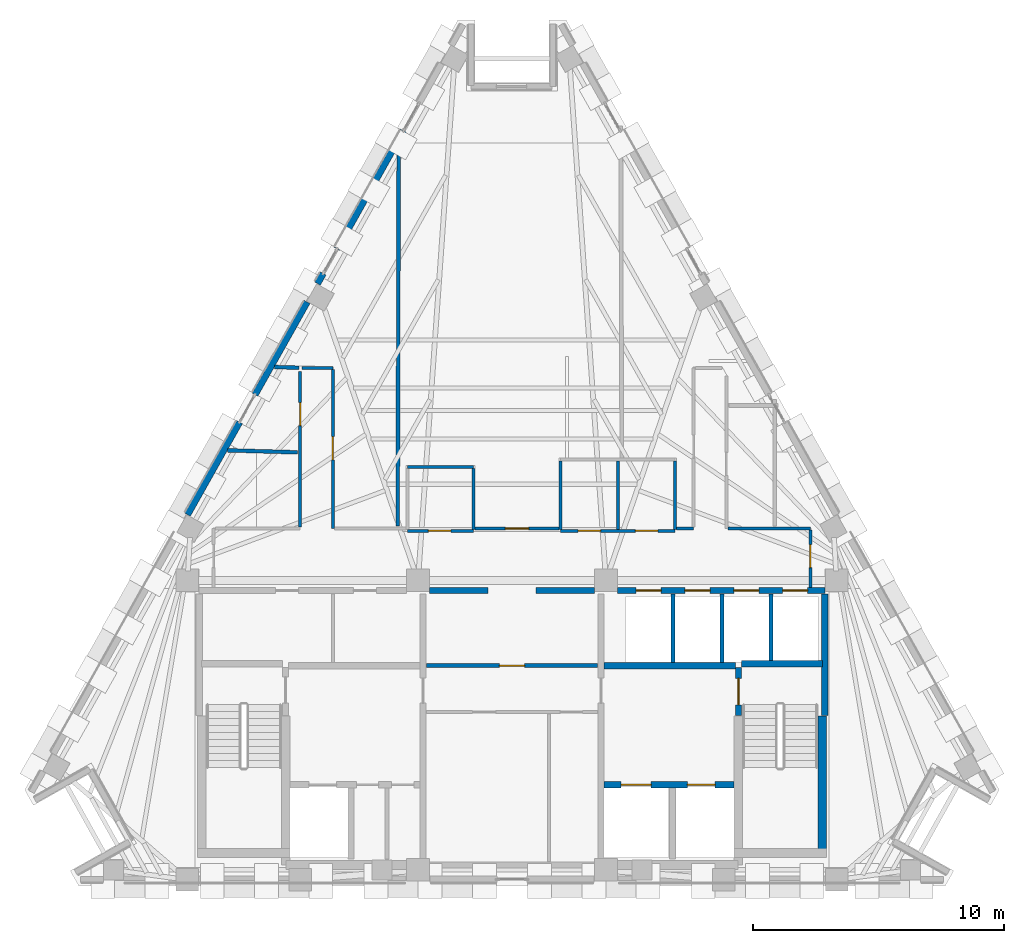
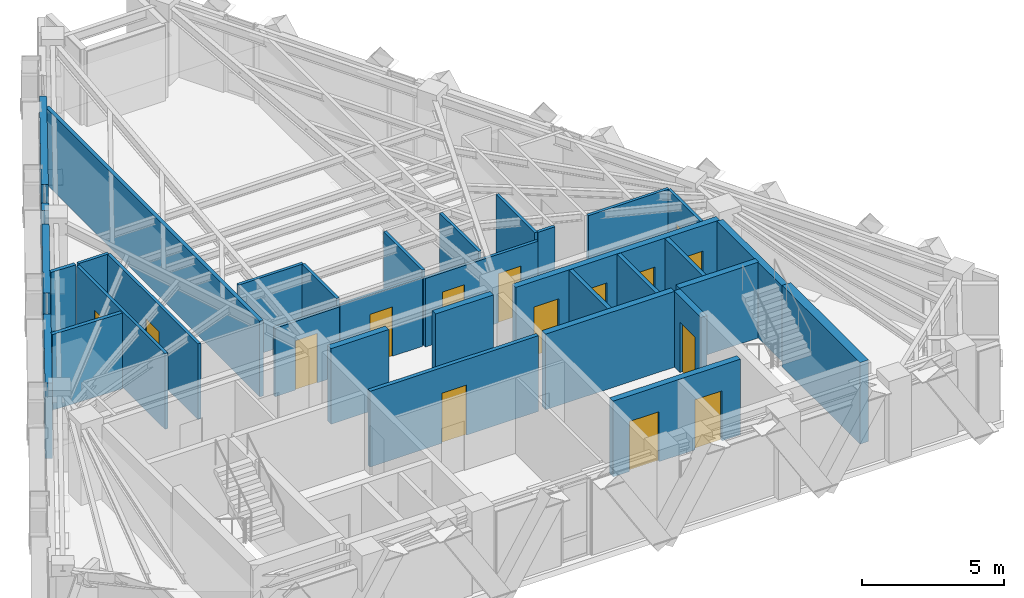
# One storey, part 6 of 9: 34 walls, 15 doors, 15 openings.
"""IFC4 building model written with IfcOpenShell, lengths in metres."""

from ifc_helpers import new_model, si_unit, direction, frame, frame_2d, origin, place, context, subcontext, project, spatial, rectangle, extrude, material, layer, layer_set, type_object, element, fill, save


model = new_model("IFC4")

# Units and contexts
model_context = context("Model", 3, precision=1e-05, world=origin(), true_north=direction((0.0, 1.0)))
body_context = subcontext(model_context, "Body", "Model", "MODEL_VIEW")
ifc_project = project(units=[si_unit("LENGTHUNIT", "METRE"), si_unit("AREAUNIT", "SQUARE_METRE"), si_unit("VOLUMEUNIT", "CUBIC_METRE"), si_unit("PLANEANGLEUNIT", "RADIAN"), si_unit("MASSUNIT", "GRAM", prefix="KILO")], contexts=[model_context])

# Site, building, storey
site_placement = place(None, origin())
site = spatial("IfcSite", under=ifc_project, at=site_placement, CompositionType="ELEMENT")
building_placement = place(site_placement, origin())
building = spatial("IfcBuilding", under=site, at=building_placement, Name="Quenlor Broadcast Tower", CompositionType="ELEMENT")
storey_placement = place(building_placement, frame((0.0, 0.0, 239.39990234375)))
storey = spatial("IfcBuildingStorey", under=building, at=storey_placement, Name="L66", CompositionType="ELEMENT", Elevation=239.39990234375)

# Walls
ifc_material_1 = material(Name="Acoustic Double Stud Gypsum Partition", Category="other")
ifc_layer_1 = layer(ifc_material_1, 0.14990234375)
ifc_layer_set_1 = layer_set([ifc_layer_1], Name="Broadcast Studio Acoustic Partition 150")
wall_type_1 = type_object("IfcWallType", Name="Broadcast Studio Acoustic Partition 150", PredefinedType="PARTITIONING", material=ifc_layer_set_1)
wall_1_placement = place(storey_placement, frame((-4.5595703125, -2.6201171875, 0.0), z_axis=(0.0, 0.0, 1.0), x_axis=(0.002561739383, 0.99999671874, 0.0)))
element("IfcWall", 1, at=wall_1_placement, inside=storey, type_object=wall_type_1, Name="L66 Interior Wall PW-DV-02", PredefinedType="PARTITIONING", context=body_context, shape_type="SweptSolid", body=[
    extrude(rectangle(XDim=15.153076171875, YDim=0.14990234375, at=frame_2d((7.57666015625, 0.0))), origin(), (0.0, 0.0, 1.0), 3.25),
])
wall_2_placement = place(storey_placement, frame((-8.495849609375, 3.685302734375, 0.0), z_axis=(0.0, 0.0, 1.0), x_axis=(-0.99954299591, 0.030229113907, 0.0)))
element("IfcWall", 2, at=wall_2_placement, inside=storey, type_object=wall_type_1, Name="L66 Interior Wall PW-DV-04", PredefinedType="PARTITIONING", context=body_context, shape_type="SweptSolid", body=[
    extrude(rectangle(XDim=0.9853515625, YDim=0.14990234375, at=frame_2d((0.49267578125, 0.0))), origin(), (0.0, 0.0, 1.0), 3.25),
])
wall_3_placement = place(storey_placement, frame((-8.56005859375, 0.310791015625, 0.0), z_axis=(0.0, 0.0, 1.0), x_axis=(-0.999598621545, 0.028330121884, 0.0)))
element("IfcWall", 3, at=wall_3_placement, inside=storey, type_object=wall_type_1, Name="L66 Interior Wall PW-DV-05", PredefinedType="PARTITIONING", context=body_context, shape_type="SweptSolid", body=[
    extrude(rectangle(XDim=2.792236328125, YDim=0.14990234375, at=frame_2d((1.39599609375, 0.0))), origin(), (0.0, 0.0, 1.0), 3.25),
])
ifc_material_2 = material(Name="Concrete C50/60", Category="concrete")
ifc_layer_2 = layer(ifc_material_2, 0.35009765625)
ifc_layer_set_2 = layer_set([ifc_layer_2], Name="Core Concrete C50/60 Shear Wall 350")
wall_type_2 = type_object("IfcWallType", Name="Core Concrete C50/60 Shear Wall 350", PredefinedType="SHEAR", material=ifc_layer_set_2)
wall_4_placement = place(storey_placement, frame((12.375, -15.675048828125, 0.0), z_axis=(0.0, 0.0, 1.0), x_axis=(0.0, 1.0, 0.0)))
element("IfcWall", 4, at=wall_4_placement, inside=storey, type_object=wall_type_2, Name="L66 Core Shear Wall WF-E", PredefinedType="SHEAR", context=body_context, shape_type="SweptSolid", body=[
    extrude(rectangle(XDim=5.47509765625, YDim=0.35009765625, at=frame_2d((2.737548828125, 0.0))), origin(), (0.0, 0.0, 1.0), 3.5),
])

# Wall, opening, door
ifc_material_3 = material(Name="Concrete C40/50", Category="concrete")
ifc_layer_3 = layer(ifc_material_3, 0.25)
ifc_layer_set_3 = layer_set([ifc_layer_3], Name="Fire Rated Concrete C40/50 Core Wall 250")
wall_type_3 = type_object("IfcWallType", Name="Fire Rated Concrete C40/50 Core Wall 250", PredefinedType="PARTITIONING", material=ifc_layer_set_3)
wall_5_placement = place(storey_placement, frame((9.0400390625, -10.179931640625, 0.0), z_axis=(0.0, 0.0, 1.0), x_axis=(0.0, 1.0, 0.0)))
wall_5 = element("IfcWall", 5, at=wall_5_placement, inside=storey, type_object=wall_type_3, Name="L66 Interior Wall CW-ST2-DR", PredefinedType="PARTITIONING", context=body_context, shape_type="SweptSolid", body=[
    extrude(rectangle(XDim=1.89990234375, YDim=0.25, at=frame_2d((0.949951171875, 0.0))), origin(), (0.0, 0.0, 1.0), 3.25),
])
opening_1_placement = place(wall_5_placement, frame((0.419921875, 0.0, 0.0)))
opening_1 = element("IfcOpeningElement", 6, at=opening_1_placement, cuts=wall_5, Name="Opening FD-1", PredefinedType="OPENING", context=body_context, shape_type="SweptSolid", body=[
    extrude(rectangle(XDim=1.050048828125, YDim=2.14990234375, at=frame_2d((0.52490234375, 1.074951171875))), frame((0.0, 0.135009765625, 0.0), z_axis=(0.0, -1.0, 0.0), x_axis=(1.0, 0.0, 0.0)), (0.0, 0.0, 1.0), 0.27001953125),
])
ifc_material_4 = material(Name="Fire Rated Steel Door Leaf", Category="steel")
door_type_1 = type_object("IfcDoorType", Name="Fire Isolated Stair Door 1050x2150", OperationType="NOTDEFINED", PredefinedType="DOOR", material=ifc_material_4)
door_1_placement = place(opening_1_placement, origin())
door_1 = element("IfcDoor", 7, at=door_1_placement, inside=storey, type_object=door_type_1, Name="L66 Door DR-ST2", OperationType="SINGLE_SWING_RIGHT", OverallHeight=2.14990234375, OverallWidth=1.050048828125, PredefinedType="DOOR", context=body_context, shape_type="SweptSolid", body=[
    extrude(rectangle(XDim=1.050048828125, YDim=2.14990234375, at=frame_2d((0.52490234375, 1.074951171875))), frame((0.0, 0.02490234375, 0.0), z_axis=(0.0, -1.0, 0.0), x_axis=(1.0, 0.0, 0.0)), (0.0, 0.0, 1.0), 0.050048828125),
])
fill(opening_1, door_1)

# Walls
wall_6_placement = place(storey_placement, frame((9.159912109375, -8.1201171875, 0.0), z_axis=(0.0, 0.0, 1.0), x_axis=(1.0, 0.0, 0.0)))
element("IfcWall", 8, at=wall_6_placement, inside=storey, type_object=wall_type_3, Name="L66 Interior Wall CW-ST2-N", PredefinedType="PARTITIONING", context=body_context, shape_type="SweptSolid", body=[
    extrude(rectangle(XDim=3.219970703125, YDim=0.25, at=frame_2d((1.60986328125, 0.0))), origin(), (0.0, 0.0, 1.0), 3.25),
])
wall_7_placement = place(storey_placement, frame((12.47998046875, -10.179931640625, 0.0), z_axis=(0.0, 0.0, 1.0), x_axis=(0.0, 1.0, 0.0)))
element("IfcWall", 9, at=wall_7_placement, inside=storey, type_object=wall_type_3, Name="L66 Interior Wall CW-ST2-E2", PredefinedType="PARTITIONING", context=body_context, shape_type="SweptSolid", body=[
    extrude(rectangle(XDim=4.83984375, YDim=0.25, at=frame_2d((2.419921875, 0.0))), origin(), (0.0, 0.0, 1.0), 3.25),
])

# Wall, openings, doors
wall_8_placement = place(storey_placement, frame((3.679931640625, -12.949951171875, 0.0), z_axis=(0.0, 0.0, 1.0), x_axis=(1.0, 0.0, 0.0)))
wall_8 = element("IfcWall", 10, at=wall_8_placement, inside=storey, type_object=wall_type_3, Name="L66 Interior Wall CW-FFE-S", PredefinedType="PARTITIONING", context=body_context, shape_type="SweptSolid", body=[
    extrude(rectangle(XDim=5.16796875, YDim=0.25, at=frame_2d((2.583984375, 0.0))), origin(), (0.0, 0.0, 1.0), 3.25),
])
opening_2_placement = place(wall_8_placement, frame((3.320068359375, 0.0, 0.0)))
opening_2 = element("IfcOpeningElement", 11, at=opening_2_placement, cuts=wall_8, Name="Opening LD-FFL-2", PredefinedType="OPENING", context=body_context, shape_type="SweptSolid", body=[
    extrude(rectangle(XDim=1.10009765625, YDim=2.14990234375, at=frame_2d((0.550048828125, 1.074951171875))), frame((0.0, 0.135009765625, 0.0), z_axis=(0.0, -1.0, 0.0), x_axis=(1.0, 0.0, 0.0)), (0.0, 0.0, 1.0), 0.27001953125),
])
opening_3_placement = place(wall_8_placement, frame((0.669921875, 0.0, 0.0)))
opening_3 = element("IfcOpeningElement", 12, at=opening_3_placement, cuts=wall_8, Name="Opening LD-SVL-1", PredefinedType="OPENING", context=body_context, shape_type="SweptSolid", body=[
    extrude(rectangle(XDim=1.199951171875, YDim=2.14990234375, at=frame_2d((0.60009765625, 1.074951171875))), frame((0.0, 0.135009765625, 0.0), z_axis=(0.0, -1.0, 0.0), x_axis=(1.0, 0.0, 0.0)), (0.0, 0.0, 1.0), 0.27001953125),
])
ifc_material_5 = material(Name="Brushed Stainless Steel", Category="steel")
door_type_2 = type_object("IfcDoorType", Name="Emergency Lift Sliding Landing Door 1100x2150", OperationType="NOTDEFINED", PredefinedType="DOOR", material=ifc_material_5)
door_2_placement = place(opening_2_placement, origin())
door_2 = element("IfcDoor", 13, at=door_2_placement, inside=storey, type_object=door_type_2, Name="L66 Door LD-FFL-2", OperationType="SLIDING_TO_RIGHT", OverallHeight=2.14990234375, OverallWidth=1.10009765625, PredefinedType="DOOR", context=body_context, shape_type="SweptSolid", body=[
    extrude(rectangle(XDim=1.10009765625, YDim=2.14990234375, at=frame_2d((0.550048828125, 1.074951171875))), frame((0.0, 0.02490234375, 0.0), z_axis=(0.0, -1.0, 0.0), x_axis=(1.0, 0.0, 0.0)), (0.0, 0.0, 1.0), 0.050048828125),
])
fill(opening_2, door_2)
ifc_material_6 = material(Name="Brushed Stainless Steel", Category="steel")
door_type_3 = type_object("IfcDoorType", Name="Goods Lift Sliding Landing Door 1200x2150", OperationType="NOTDEFINED", PredefinedType="DOOR", material=ifc_material_6)
door_3_placement = place(opening_3_placement, origin())
door_3 = element("IfcDoor", 14, at=door_3_placement, inside=storey, type_object=door_type_3, Name="L66 Door LD-SVL-1", OperationType="SLIDING_TO_LEFT", OverallHeight=2.14990234375, OverallWidth=1.199951171875, PredefinedType="DOOR", context=body_context, shape_type="SweptSolid", body=[
    extrude(rectangle(XDim=1.199951171875, YDim=2.14990234375, at=frame_2d((0.60009765625, 1.074951171875))), frame((0.0, 0.02490234375, 0.0), z_axis=(0.0, -1.0, 0.0), x_axis=(1.0, 0.0, 0.0)), (0.0, 0.0, 1.0), 0.050048828125),
])
fill(opening_3, door_3)

# Wall
wall_9_placement = place(storey_placement, frame((3.679931640625, -8.199951171875, 0.0), z_axis=(0.0, 0.0, 1.0), x_axis=(1.0, 0.0, 0.0)))
element("IfcWall", 15, at=wall_9_placement, inside=storey, type_object=wall_type_3, Name="L66 Interior Wall CW-FFE-N", PredefinedType="PARTITIONING", context=body_context, shape_type="SweptSolid", body=[
    extrude(rectangle(XDim=5.239990234375, YDim=0.25, at=frame_2d((2.6201171875, 0.0))), origin(), (0.0, 0.0, 1.0), 3.25),
])

# Wall, openings, doors
wall_10_placement = place(storey_placement, frame((4.201904296875, -5.199951171875, 0.0), z_axis=(0.0, 0.0, 1.0), x_axis=(1.0, 0.0, 0.0)))
wall_10 = element("IfcWall", 16, at=wall_10_placement, inside=storey, type_object=wall_type_3, Name="L66 Interior Wall CW-N-E", PredefinedType="PARTITIONING", context=body_context, shape_type="SweptSolid", body=[
    extrude(rectangle(XDim=8.278076171875, YDim=0.25, at=frame_2d((4.13916015625, 0.0))), origin(), (0.0, 0.0, 1.0), 3.25),
])
opening_4_placement = place(wall_10_placement, frame((0.748046875, 0.0, 0.0)))
opening_4 = element("IfcOpeningElement", 17, at=opening_4_placement, cuts=wall_10, Name="Opening LD-PL-H1", PredefinedType="OPENING", context=body_context, shape_type="SweptSolid", body=[
    extrude(rectangle(XDim=1.0, YDim=2.14990234375, at=frame_2d((0.5, 1.074951171875))), frame((0.0, 0.135009765625, 0.0), z_axis=(0.0, -1.0, 0.0), x_axis=(1.0, 0.0, 0.0)), (0.0, 0.0, 1.0), 0.27001953125),
])
opening_5_placement = place(wall_10_placement, frame((2.697998046875, 0.0, 0.0)))
opening_5 = element("IfcOpeningElement", 18, at=opening_5_placement, cuts=wall_10, Name="Opening LD-PL-H2", PredefinedType="OPENING", context=body_context, shape_type="SweptSolid", body=[
    extrude(rectangle(XDim=1.0, YDim=2.14990234375, at=frame_2d((0.5, 1.074951171875))), frame((0.0, 0.135009765625, 0.0), z_axis=(0.0, -1.0, 0.0), x_axis=(1.0, 0.0, 0.0)), (0.0, 0.0, 1.0), 0.27001953125),
])
opening_6_placement = place(wall_10_placement, frame((4.64794921875, 0.0, 0.0)))
opening_6 = element("IfcOpeningElement", 19, at=opening_6_placement, cuts=wall_10, Name="Opening LD-PL-H3", PredefinedType="OPENING", context=body_context, shape_type="SweptSolid", body=[
    extrude(rectangle(XDim=1.0, YDim=2.14990234375, at=frame_2d((0.5, 1.074951171875))), frame((0.0, 0.135009765625, 0.0), z_axis=(0.0, -1.0, 0.0), x_axis=(1.0, 0.0, 0.0)), (0.0, 0.0, 1.0), 0.27001953125),
])
opening_7_placement = place(wall_10_placement, frame((6.597900390625, 0.0, 0.0)))
opening_7 = element("IfcOpeningElement", 20, at=opening_7_placement, cuts=wall_10, Name="Opening LD-PL-H4", PredefinedType="OPENING", context=body_context, shape_type="SweptSolid", body=[
    extrude(rectangle(XDim=1.0, YDim=2.14990234375, at=frame_2d((0.5, 1.074951171875))), frame((0.0, 0.135009765625, 0.0), z_axis=(0.0, -1.0, 0.0), x_axis=(1.0, 0.0, 0.0)), (0.0, 0.0, 1.0), 0.27001953125),
])
ifc_material_7 = material(Name="Brushed Stainless Steel", Category="steel")
door_type_4 = type_object("IfcDoorType", Name="Passenger Lift Sliding Landing Door 1000x2150", OperationType="NOTDEFINED", PredefinedType="DOOR", material=ifc_material_7)
door_4_placement = place(opening_4_placement, origin())
door_4 = element("IfcDoor", 21, at=door_4_placement, inside=storey, type_object=door_type_4, Name="L66 Door LD-PL-H1", OperationType="SLIDING_TO_RIGHT", OverallHeight=2.14990234375, OverallWidth=1.0, PredefinedType="DOOR", context=body_context, shape_type="SweptSolid", body=[
    extrude(rectangle(XDim=1.0, YDim=2.14990234375, at=frame_2d((0.5, 1.074951171875))), frame((0.0, 0.02490234375, 0.0), z_axis=(0.0, -1.0, 0.0), x_axis=(1.0, 0.0, 0.0)), (0.0, 0.0, 1.0), 0.050048828125),
])
fill(opening_4, door_4)
door_5_placement = place(opening_5_placement, origin())
door_5 = element("IfcDoor", 22, at=door_5_placement, inside=storey, type_object=door_type_4, Name="L66 Door LD-PL-H2", OperationType="SLIDING_TO_RIGHT", OverallHeight=2.14990234375, OverallWidth=1.0, PredefinedType="DOOR", context=body_context, shape_type="SweptSolid", body=[
    extrude(rectangle(XDim=1.0, YDim=2.14990234375, at=frame_2d((0.5, 1.074951171875))), frame((0.0, 0.02490234375, 0.0), z_axis=(0.0, -1.0, 0.0), x_axis=(1.0, 0.0, 0.0)), (0.0, 0.0, 1.0), 0.050048828125),
])
fill(opening_5, door_5)
door_6_placement = place(opening_6_placement, origin())
door_6 = element("IfcDoor", 23, at=door_6_placement, inside=storey, type_object=door_type_4, Name="L66 Door LD-PL-H3", OperationType="SLIDING_TO_RIGHT", OverallHeight=2.14990234375, OverallWidth=1.0, PredefinedType="DOOR", context=body_context, shape_type="SweptSolid", body=[
    extrude(rectangle(XDim=1.0, YDim=2.14990234375, at=frame_2d((0.5, 1.074951171875))), frame((0.0, 0.02490234375, 0.0), z_axis=(0.0, -1.0, 0.0), x_axis=(1.0, 0.0, 0.0)), (0.0, 0.0, 1.0), 0.050048828125),
])
fill(opening_6, door_6)
door_7_placement = place(opening_7_placement, origin())
door_7 = element("IfcDoor", 24, at=door_7_placement, inside=storey, type_object=door_type_4, Name="L66 Door LD-PL-H4", OperationType="SLIDING_TO_RIGHT", OverallHeight=2.14990234375, OverallWidth=1.0, PredefinedType="DOOR", context=body_context, shape_type="SweptSolid", body=[
    extrude(rectangle(XDim=1.0, YDim=2.14990234375, at=frame_2d((0.5, 1.074951171875))), frame((0.0, 0.02490234375, 0.0), z_axis=(0.0, -1.0, 0.0), x_axis=(1.0, 0.0, 0.0)), (0.0, 0.0, 1.0), 0.050048828125),
])
fill(opening_7, door_7)

# Walls
for number, where, z_axis, x_axis, name in (
    (25, (-3.298095703125, -5.199951171875, 0.0), (0.0, 0.0, 1.0), (1.0, 0.0, 0.0), "L66 Interior Wall CW-N-M1"),
    (26, (0.949951171875, -5.199951171875, 0.0), (0.0, 0.0, 1.0), (1.0, 0.0, 0.0), "L66 Interior Wall CW-N-M2"),
):
    element("IfcWall", number, at=place(storey_placement, frame(where, z_axis=z_axis, x_axis=x_axis)), inside=storey, type_object=wall_type_3, Name=name, PredefinedType="PARTITIONING", context=body_context, shape_type="SweptSolid", body=[
        extrude(rectangle(XDim=2.34814453125, YDim=0.25, at=frame_2d((1.174072265625, 0.0))), origin(), (0.0, 0.0, 1.0), 3.25),
    ])
ifc_material_8 = material(Name="Gypsum Fireboard Partition", Category="other")
ifc_layer_4 = layer(ifc_material_8, 0.159912109375)
ifc_layer_set_4 = layer_set([ifc_layer_4], Name="Fire Rated Shaft and Corridor Partition 160")
wall_type_4 = type_object("IfcWallType", Name="Fire Rated Shaft and Corridor Partition 160", PredefinedType="PARTITIONING", material=ifc_layer_set_4)
for number, where, z_axis, x_axis, name in (
    (27, (6.425048828125, -8.072998046875, 0.0), (0.0, 0.0, 1.0), (0.0, 1.0, 0.0), "L66 Interior Wall CW-PLH-D1"),
    (28, (8.375, -8.072998046875, 0.0), (0.0, 0.0, 1.0), (0.0, 1.0, 0.0), "L66 Interior Wall CW-PLH-D2"),
):
    element("IfcWall", number, at=place(storey_placement, frame(where, z_axis=z_axis, x_axis=x_axis)), inside=storey, type_object=wall_type_4, Name=name, PredefinedType="PARTITIONING", context=body_context, shape_type="SweptSolid", body=[
        extrude(rectangle(XDim=2.73291015625, YDim=0.159912109375, at=frame_2d((1.366455078125, 0.0))), origin(), (0.0, 0.0, 1.0), 3.25),
    ])
wall_11_placement = place(storey_placement, frame((10.324951171875, -7.992919921875, 0.0), z_axis=(0.0, 0.0, 1.0), x_axis=(0.0, 1.0, 0.0)))
element("IfcWall", 29, at=wall_11_placement, inside=storey, type_object=wall_type_4, Name="L66 Interior Wall CW-PLH-D3", PredefinedType="PARTITIONING", context=body_context, shape_type="SweptSolid", body=[
    extrude(rectangle(XDim=2.65283203125, YDim=0.159912109375, at=frame_2d((1.326416015625, 0.0))), origin(), (0.0, 0.0, 1.0), 3.25),
])

# Wall, opening, door
wall_12_placement = place(storey_placement, frame((-3.419921875, -8.199951171875, 0.0), z_axis=(0.0, 0.0, 1.0), x_axis=(1.0, 0.0, 0.0)))
wall_12 = element("IfcWall", 30, at=wall_12_placement, inside=storey, type_object=wall_type_4, Name="L66 Interior Wall CW-M-BACK", PredefinedType="PARTITIONING", context=body_context, shape_type="SweptSolid", body=[
    extrude(rectangle(XDim=6.83984375, YDim=0.159912109375, at=frame_2d((3.419921875, 0.0))), origin(), (0.0, 0.0, 1.0), 3.25),
])
opening_8_placement = place(wall_12_placement, frame((2.919921875, 0.0, 0.0)))
opening_8 = element("IfcOpeningElement", 31, at=opening_8_placement, cuts=wall_12, Name="Opening FD-2", PredefinedType="OPENING", context=body_context, shape_type="SweptSolid", body=[
    extrude(rectangle(XDim=1.0, YDim=2.14990234375, at=frame_2d((0.5, 1.074951171875))), frame((0.0, 0.08984375, 0.0), z_axis=(0.0, -1.0, 0.0), x_axis=(1.0, 0.0, 0.0)), (0.0, 0.0, 1.0), 0.179931640625),
])
ifc_material_9 = material(Name="Fire Rated Glazed Steel Door", Category="steel")
door_type_5 = type_object("IfcDoorType", Name="Firefighting Lobby Smoke Door 1000x2150", OperationType="NOTDEFINED", PredefinedType="DOOR", material=ifc_material_9)
door_8_placement = place(opening_8_placement, origin())
door_8 = element("IfcDoor", 32, at=door_8_placement, inside=storey, type_object=door_type_5, Name="L66 Door DR-CCRP", OperationType="SINGLE_SWING_LEFT", OverallHeight=2.14990234375, OverallWidth=1.0, PredefinedType="DOOR", context=body_context, shape_type="SweptSolid", body=[
    extrude(rectangle(XDim=1.0, YDim=2.14990234375, at=frame_2d((0.5, 1.074951171875))), frame((0.0, 0.02490234375, 0.0), z_axis=(0.0, -1.0, 0.0), x_axis=(1.0, 0.0, 0.0)), (0.0, 0.0, 1.0), 0.050048828125),
])
fill(opening_8, door_8)

ifc_material_10 = material(Name="Gypsum Plasterboard Partition", Category="other")
ifc_layer_5 = layer(ifc_material_10, 0.1201171875)
ifc_layer_set_5 = layer_set([ifc_layer_5], Name="Standard Office Partition 120")
wall_type_5 = type_object("IfcWallType", Name="Standard Office Partition 120", PredefinedType="PARTITIONING", material=ifc_layer_set_5)
wall_13_placement = place(storey_placement, frame((-4.159912109375, -2.820068359375, 0.0), z_axis=(0.0, 0.0, 1.0), x_axis=(1.0, 0.0, 0.0)))
wall_13 = element("IfcWall", 33, at=wall_13_placement, inside=storey, type_object=wall_type_5, Name="L66 Interior Wall PW-AWC-S", PredefinedType="PARTITIONING", context=body_context, shape_type="SweptSolid", body=[
    extrude(rectangle(XDim=2.619873046875, YDim=0.1201171875, at=frame_2d((1.31005859375, 0.0))), origin(), (0.0, 0.0, 1.0), 2.94287109375),
])
opening_9_placement = place(wall_13_placement, frame((0.820068359375, 0.0, 0.0)))
opening_9 = element("IfcOpeningElement", 34, at=opening_9_placement, cuts=wall_13, Name="Opening ID-3", PredefinedType="OPENING", context=body_context, shape_type="SweptSolid", body=[
    extrude(rectangle(XDim=0.89990234375, YDim=2.1201171875, at=frame_2d((0.449951171875, 1.06005859375))), frame((0.0, 0.070068359375, 0.0), z_axis=(0.0, -1.0, 0.0), x_axis=(1.0, 0.0, 0.0)), (0.0, 0.0, 1.0), 0.14013671875),
])
ifc_material_11 = material(Name="Moisture Resistant Timber Oak", Category="wood")
door_type_6 = type_object("IfcDoorType", Name="Washroom Privacy Door 900x2120", OperationType="NOTDEFINED", PredefinedType="DOOR", material=ifc_material_11)
door_9_placement = place(opening_9_placement, origin())
door_9 = element("IfcDoor", 35, at=door_9_placement, inside=storey, type_object=door_type_6, Name="L66 Door DR-AWC", OperationType="SINGLE_SWING_LEFT", OverallHeight=2.1201171875, OverallWidth=0.89990234375, PredefinedType="DOOR", context=body_context, shape_type="SweptSolid", body=[
    extrude(rectangle(XDim=0.89990234375, YDim=2.1201171875, at=frame_2d((0.449951171875, 1.06005859375))), frame((0.0, 0.02490234375, 0.0), z_axis=(0.0, -1.0, 0.0), x_axis=(1.0, 0.0, 0.0)), (0.0, 0.0, 1.0), 0.050048828125),
])
fill(opening_9, door_9)

# Walls
wall_14_placement = place(storey_placement, frame((-4.159912109375, -0.27001953125, 0.0), z_axis=(0.0, 0.0, 1.0), x_axis=(1.0, 0.0, 0.0)))
element("IfcWall", 36, at=wall_14_placement, inside=storey, type_object=wall_type_5, Name="L66 Interior Wall PW-AWC-N", PredefinedType="PARTITIONING", context=body_context, shape_type="SweptSolid", body=[
    extrude(rectangle(XDim=2.619873046875, YDim=0.1201171875, at=frame_2d((1.31005859375, 0.0))), origin(), (0.0, 0.0, 1.0), 3.25),
])
wall_15_placement = place(storey_placement, frame((-1.5400390625, -2.758056640625, 0.0), z_axis=(0.0, 0.0, 1.0), x_axis=(0.0, 1.0, 0.0)))
element("IfcWall", 37, at=wall_15_placement, inside=storey, type_object=wall_type_5, Name="L66 Interior Wall PW-AWC-E", PredefinedType="PARTITIONING", context=body_context, shape_type="SweptSolid", body=[
    extrude(rectangle(XDim=2.426025390625, YDim=0.1201171875, at=frame_2d((1.212890625, 0.0))), origin(), (0.0, 0.0, 1.0), 3.25),
])

# Wall, openings, doors
wall_16_placement = place(storey_placement, frame((1.93994140625, -2.820068359375, 0.0), z_axis=(0.0, 0.0, 1.0), x_axis=(1.0, 0.0, 0.0)))
wall_16 = element("IfcWall", 38, at=wall_16_placement, inside=storey, type_object=wall_type_5, Name="L66 Interior Wall PW-WC-S", PredefinedType="PARTITIONING", context=body_context, shape_type="SweptSolid", body=[
    extrude(rectangle(XDim=4.570068359375, YDim=0.1201171875, at=frame_2d((2.28515625, 0.0))), origin(), (0.0, 0.0, 1.0), 2.94287109375),
])
opening_10_placement = place(wall_16_placement, frame((0.699951171875, 0.0, 0.0)))
opening_10 = element("IfcOpeningElement", 39, at=opening_10_placement, cuts=wall_16, Name="Opening ID-3", PredefinedType="OPENING", context=body_context, shape_type="SweptSolid", body=[
    extrude(rectangle(XDim=0.89990234375, YDim=2.1201171875, at=frame_2d((0.449951171875, 1.06005859375))), frame((0.0, 0.070068359375, 0.0), z_axis=(0.0, -1.0, 0.0), x_axis=(1.0, 0.0, 0.0)), (0.0, 0.0, 1.0), 0.14013671875),
])
opening_11_placement = place(wall_16_placement, frame((2.97998046875, 0.0, 0.0)))
opening_11 = element("IfcOpeningElement", 40, at=opening_11_placement, cuts=wall_16, Name="Opening ID-3", PredefinedType="OPENING", context=body_context, shape_type="SweptSolid", body=[
    extrude(rectangle(XDim=0.89990234375, YDim=2.1201171875, at=frame_2d((0.449951171875, 1.06005859375))), frame((0.0, 0.070068359375, 0.0), z_axis=(0.0, -1.0, 0.0), x_axis=(1.0, 0.0, 0.0)), (0.0, 0.0, 1.0), 0.14013671875),
])
door_10_placement = place(opening_10_placement, origin())
door_10 = element("IfcDoor", 41, at=door_10_placement, inside=storey, type_object=door_type_6, Name="L66 Door DR-MWC", OperationType="SINGLE_SWING_LEFT", OverallHeight=2.1201171875, OverallWidth=0.89990234375, PredefinedType="DOOR", context=body_context, shape_type="SweptSolid", body=[
    extrude(rectangle(XDim=0.89990234375, YDim=2.1201171875, at=frame_2d((0.449951171875, 1.06005859375))), frame((0.0, 0.02490234375, 0.0), z_axis=(0.0, -1.0, 0.0), x_axis=(1.0, 0.0, 0.0)), (0.0, 0.0, 1.0), 0.050048828125),
])
fill(opening_10, door_10)
door_11_placement = place(opening_11_placement, origin())
door_11 = element("IfcDoor", 42, at=door_11_placement, inside=storey, type_object=door_type_6, Name="L66 Door DR-FWC", OperationType="SINGLE_SWING_RIGHT", OverallHeight=2.1201171875, OverallWidth=0.89990234375, PredefinedType="DOOR", context=body_context, shape_type="SweptSolid", body=[
    extrude(rectangle(XDim=0.89990234375, YDim=2.1201171875, at=frame_2d((0.449951171875, 1.06005859375))), frame((0.0, 0.02490234375, 0.0), z_axis=(0.0, -1.0, 0.0), x_axis=(1.0, 0.0, 0.0)), (0.0, 0.0, 1.0), 0.050048828125),
])
fill(opening_11, door_11)

# Walls
for number, where, z_axis, x_axis, name in (
    (43, (1.93994140625, -2.758056640625, 0.0), (0.0, 0.0, 1.0), (0.0, 1.0, 0.0), "L66 Interior Wall PW-WC-W"),
    (44, (4.219970703125, -2.758056640625, 0.0), (0.0, 0.0, 1.0), (0.0, 1.0, 0.0), "L66 Interior Wall PW-WC-M"),
    (45, (6.510009765625, -2.758056640625, 0.0), (0.0, 0.0, 1.0), (0.0, 1.0, 0.0), "L66 Interior Wall PW-WC-E"),
):
    element("IfcWall", number, at=place(storey_placement, frame(where, z_axis=z_axis, x_axis=x_axis)), inside=storey, type_object=wall_type_5, Name=name, PredefinedType="PARTITIONING", context=body_context, shape_type="SweptSolid", body=[
        extrude(rectangle(XDim=2.72607421875, YDim=0.1201171875, at=frame_2d((1.363037109375, 0.0))), origin(), (0.0, 0.0, 1.0), 3.25),
    ])

# Wall, opening, door
wall_17_placement = place(storey_placement, frame((-8.449951171875, -2.66796875, 0.0), z_axis=(0.0, 0.0, 1.0), x_axis=(0.0, 1.0, 0.0)))
wall_17 = element("IfcWall", 46, at=wall_17_placement, inside=storey, type_object=wall_type_5, Name="L66 Interior Wall PW-CR-03", PredefinedType="PARTITIONING", context=body_context, shape_type="SweptSolid", body=[
    extrude(rectangle(XDim=6.21044921875, YDim=0.1201171875, at=frame_2d((3.105224609375, 0.0))), origin(), (0.0, 0.0, 1.0), 3.25),
])
opening_12_placement = place(wall_17_placement, frame((4.047119140625, 0.0, 0.0)))
opening_12 = element("IfcOpeningElement", 47, at=opening_12_placement, cuts=wall_17, Name="Opening ID-1", PredefinedType="OPENING", context=body_context, shape_type="SweptSolid", body=[
    extrude(rectangle(XDim=0.919921875, YDim=2.1201171875, at=frame_2d((0.4599609375, 1.06005859375))), frame((0.0, 0.070068359375, 0.0), z_axis=(0.0, -1.0, 0.0), x_axis=(1.0, 0.0, 0.0)), (0.0, 0.0, 1.0), 0.14013671875),
])
ifc_material_12 = material(Name="Solid Core Timber Oak", Category="wood")
door_type_7 = type_object("IfcDoorType", Name="Single Leaf Timber Office Door 920x2120", OperationType="NOTDEFINED", PredefinedType="DOOR", material=ifc_material_12)
door_12_placement = place(opening_12_placement, origin())
door_12 = element("IfcDoor", 48, at=door_12_placement, inside=storey, type_object=door_type_7, Name="L66 Door DR-RM04", OperationType="SINGLE_SWING_RIGHT", OverallHeight=2.1201171875, OverallWidth=0.919921875, PredefinedType="DOOR", context=body_context, shape_type="SweptSolid", body=[
    extrude(rectangle(XDim=0.919921875, YDim=2.1201171875, at=frame_2d((0.4599609375, 1.06005859375))), frame((0.0, 0.02490234375, 0.0), z_axis=(0.0, -1.0, 0.0), x_axis=(1.0, 0.0, 0.0)), (0.0, 0.0, 1.0), 0.050048828125),
])
fill(opening_12, door_12)

# Wall
wall_18_placement = place(storey_placement, frame((-8.372802734375, 3.679931640625, 0.0), z_axis=(0.0, 0.0, 1.0), x_axis=(1.0, 0.0, 0.0)))
element("IfcWall", 49, at=wall_18_placement, inside=storey, type_object=wall_type_5, Name="L66 Interior Wall PW-CR-04", PredefinedType="PARTITIONING", context=body_context, shape_type="SweptSolid", body=[
    extrude(rectangle(XDim=1.222900390625, YDim=0.1201171875, at=frame_2d((0.611328125, 0.0))), origin(), (0.0, 0.0, 1.0), 3.25),
])

# Wall, opening, door
wall_19_placement = place(storey_placement, frame((-7.14990234375, 3.617919921875, 0.0), z_axis=(0.0, 0.0, 1.0), x_axis=(0.0, -1.0, 0.0)))
wall_19 = element("IfcWall", 50, at=wall_19_placement, inside=storey, type_object=wall_type_5, Name="L66 Interior Wall PW-CR-05", PredefinedType="PARTITIONING", context=body_context, shape_type="SweptSolid", body=[
    extrude(rectangle(XDim=6.347900390625, YDim=0.1201171875, at=frame_2d((3.173828125, 0.0))), origin(), (0.0, 0.0, 1.0), 3.25),
])
opening_13_placement = place(wall_19_placement, frame((2.68310546875, 0.0, 0.0)))
opening_13 = element("IfcOpeningElement", 51, at=opening_13_placement, cuts=wall_19, Name="Opening ID-1", PredefinedType="OPENING", context=body_context, shape_type="SweptSolid", body=[
    extrude(rectangle(XDim=0.919921875, YDim=2.1201171875, at=frame_2d((0.4599609375, 1.06005859375))), frame((0.0, 0.070068359375, 0.0), z_axis=(0.0, -1.0, 0.0), x_axis=(1.0, 0.0, 0.0)), (0.0, 0.0, 1.0), 0.14013671875),
])
door_13_placement = place(opening_13_placement, origin())
door_13 = element("IfcDoor", 52, at=door_13_placement, inside=storey, type_object=door_type_7, Name="L66 Door DR-RM03", OperationType="SINGLE_SWING_LEFT", OverallHeight=2.1201171875, OverallWidth=0.919921875, PredefinedType="DOOR", context=body_context, shape_type="SweptSolid", body=[
    extrude(rectangle(XDim=0.919921875, YDim=2.1201171875, at=frame_2d((0.4599609375, 1.06005859375))), frame((0.0, 0.02490234375, 0.0), z_axis=(0.0, -1.0, 0.0), x_axis=(1.0, 0.0, 0.0)), (0.0, 0.0, 1.0), 0.050048828125),
])
fill(opening_13, door_13)

wall_20_placement = place(storey_placement, frame((-1.47802734375, -2.72998046875, 0.0), z_axis=(0.0, 0.0, 1.0), x_axis=(1.0, 0.0, 0.0)))
wall_20 = element("IfcWall", 53, at=wall_20_placement, inside=storey, type_object=wall_type_5, Name="L66 Interior Wall PW-CR-08", PredefinedType="PARTITIONING", context=body_context, shape_type="SweptSolid", body=[
    extrude(rectangle(XDim=3.35595703125, YDim=0.1201171875, at=frame_2d((1.677978515625, 0.0))), origin(), (0.0, 0.0, 1.0), 2.94287109375),
])
opening_14_placement = place(wall_20_placement, frame((1.218017578125, 0.0, 0.0)))
opening_14 = element("IfcOpeningElement", 54, at=opening_14_placement, cuts=wall_20, Name="Opening ID-1", PredefinedType="OPENING", context=body_context, shape_type="SweptSolid", body=[
    extrude(rectangle(XDim=0.919921875, YDim=2.1201171875, at=frame_2d((0.4599609375, 1.06005859375))), frame((0.0, 0.070068359375, 0.0), z_axis=(0.0, -1.0, 0.0), x_axis=(1.0, 0.0, 0.0)), (0.0, 0.0, 1.0), 0.14013671875),
])
door_14_placement = place(opening_14_placement, origin())
door_14 = element("IfcDoor", 55, at=door_14_placement, inside=storey, type_object=door_type_7, Name="L66 Door DR-RM01", OperationType="SINGLE_SWING_LEFT", OverallHeight=2.1201171875, OverallWidth=0.919921875, PredefinedType="DOOR", context=body_context, shape_type="SweptSolid", body=[
    extrude(rectangle(XDim=0.919921875, YDim=2.1201171875, at=frame_2d((0.4599609375, 1.06005859375))), frame((0.0, 0.02490234375, 0.0), z_axis=(0.0, -1.0, 0.0), x_axis=(1.0, 0.0, 0.0)), (0.0, 0.0, 1.0), 0.050048828125),
])
fill(opening_14, door_14)

# Walls
wall_21_placement = place(storey_placement, frame((6.572021484375, -2.72998046875, 0.0), z_axis=(0.0, 0.0, 1.0), x_axis=(1.0, 0.0, 0.0)))
element("IfcWall", 56, at=wall_21_placement, inside=storey, type_object=wall_type_5, Name="L66 Interior Wall PW-CR-10", PredefinedType="PARTITIONING", context=body_context, shape_type="SweptSolid", body=[
    extrude(rectangle(XDim=0.677978515625, YDim=0.1201171875, at=frame_2d((0.3388671875, 0.0))), origin(), (0.0, 0.0, 1.0), 3.25),
])
wall_22_placement = place(storey_placement, frame((8.612060546875, -2.72998046875, 0.0), z_axis=(0.0, 0.0, 1.0), x_axis=(1.0, 0.0, 0.0)))
element("IfcWall", 57, at=wall_22_placement, inside=storey, type_object=wall_type_5, Name="L66 Interior Wall PW-CR-15", PredefinedType="PARTITIONING", context=body_context, shape_type="SweptSolid", body=[
    extrude(rectangle(XDim=3.287841796875, YDim=0.1201171875, at=frame_2d((1.64404296875, 0.0))), origin(), (0.0, 0.0, 1.0), 3.25),
])

# Wall, opening, door
wall_23_placement = place(storey_placement, frame((11.89990234375, -2.7919921875, 0.0), z_axis=(0.0, 0.0, 1.0), x_axis=(0.0, -1.0, 0.0)))
wall_23 = element("IfcWall", 58, at=wall_23_placement, inside=storey, type_object=wall_type_5, Name="L66 Interior Wall PW-CR-16", PredefinedType="PARTITIONING", context=body_context, shape_type="SweptSolid", body=[
    extrude(rectangle(XDim=2.281005859375, YDim=0.1201171875, at=frame_2d((1.140625, 0.0))), origin(), (0.0, 0.0, 1.0), 3.25),
])
opening_15_placement = place(wall_23_placement, frame((0.577880859375, 0.0, 0.0)))
opening_15 = element("IfcOpeningElement", 59, at=opening_15_placement, cuts=wall_23, Name="Opening ID-1", PredefinedType="OPENING", context=body_context, shape_type="SweptSolid", body=[
    extrude(rectangle(XDim=0.919921875, YDim=2.1201171875, at=frame_2d((0.4599609375, 1.06005859375))), frame((0.0, 0.070068359375, 0.0), z_axis=(0.0, -1.0, 0.0), x_axis=(1.0, 0.0, 0.0)), (0.0, 0.0, 1.0), 0.14013671875),
])
door_15_placement = place(opening_15_placement, origin())
door_15 = element("IfcDoor", 60, at=door_15_placement, inside=storey, type_object=door_type_7, Name="L66 Door DR-RM07", OperationType="SINGLE_SWING_LEFT", OverallHeight=2.1201171875, OverallWidth=0.919921875, PredefinedType="DOOR", context=body_context, shape_type="SweptSolid", body=[
    extrude(rectangle(XDim=0.919921875, YDim=2.1201171875, at=frame_2d((0.4599609375, 1.06005859375))), frame((0.0, 0.02490234375, 0.0), z_axis=(0.0, -1.0, 0.0), x_axis=(1.0, 0.0, 0.0)), (0.0, 0.0, 1.0), 0.050048828125),
])
fill(opening_15, door_15)

# Walls
ifc_material_13 = material(Name="Precast concrete C40/50", Category="concrete")
ifc_layer_6 = layer(ifc_material_13, 0.260009765625)
ifc_layer_set_6 = layer_set([ifc_layer_6], Name="Terracotta Precast Concrete C40/50 Upper Wall 260")
wall_type_6 = type_object("IfcWallType", Name="Terracotta Precast Concrete C40/50 Upper Wall 260", PredefinedType="STANDARD", material=ifc_layer_set_6)
wall_24_placement = place(storey_placement, frame((-7.760009765625, 7.043701171875, 0.0), z_axis=(0.0, 0.0, 1.0), x_axis=(0.490412424957, 0.871490478116, 0.0)))
element("IfcWall", 61, at=wall_24_placement, inside=storey, type_object=wall_type_6, Name="L66 Exterior Wall L66-NWC-SP1", PredefinedType="STANDARD", context=body_context, shape_type="SweptSolid", body=[
    extrude(rectangle(XDim=0.4599609375, YDim=0.260009765625, at=frame_2d((0.22998046875, 0.0))), origin(), (0.0, 0.0, 1.0), 3.25),
])
wall_25_placement = place(storey_placement, frame((-6.981689453125, 8.42724609375, 0.0), z_axis=(0.0, 0.0, 1.0), x_axis=(0.490265525523, 0.871573126297, 0.0)))
element("IfcWall", 62, at=wall_25_placement, inside=storey, type_object=wall_type_6, Name="L66 Exterior Wall L66-NWC-SP2", PredefinedType="STANDARD", context=body_context, shape_type="SweptSolid", body=[
    extrude(rectangle(XDim=5.408935546875, YDim=0.260009765625, at=frame_2d((2.70458984375, 0.0))), origin(), (0.0, 0.0, 1.0), 3.25),
])
wall_26_placement = place(storey_placement, frame((-12.9462890625, -2.1767578125, 0.0), z_axis=(0.0, 0.0, 1.0), x_axis=(0.490244825075, 0.871584770109, 0.0)))
element("IfcWall", 63, at=wall_26_placement, inside=storey, type_object=wall_type_6, Name="L66 Exterior Wall L66-NW-SP1", PredefinedType="STANDARD", context=body_context, shape_type="SweptSolid", body=[
    extrude(rectangle(XDim=4.237060546875, YDim=0.260009765625, at=frame_2d((2.11865234375, 0.0))), origin(), (0.0, 0.0, 1.0), 3.25),
])
wall_27_placement = place(storey_placement, frame((-10.25146484375, 2.614501953125, 0.0), z_axis=(0.0, 0.0, 1.0), x_axis=(0.490269447258, 0.871570920284, 0.0)))
element("IfcWall", 64, at=wall_27_placement, inside=storey, type_object=wall_type_6, Name="L66 Exterior Wall L66-NW-SP2", PredefinedType="STANDARD", context=body_context, shape_type="SweptSolid", body=[
    extrude(rectangle(XDim=4.23681640625, YDim=0.260009765625, at=frame_2d((2.118408203125, 0.0))), origin(), (0.0, 0.0, 1.0), 3.25),
])

save(model, "model.ifc")
